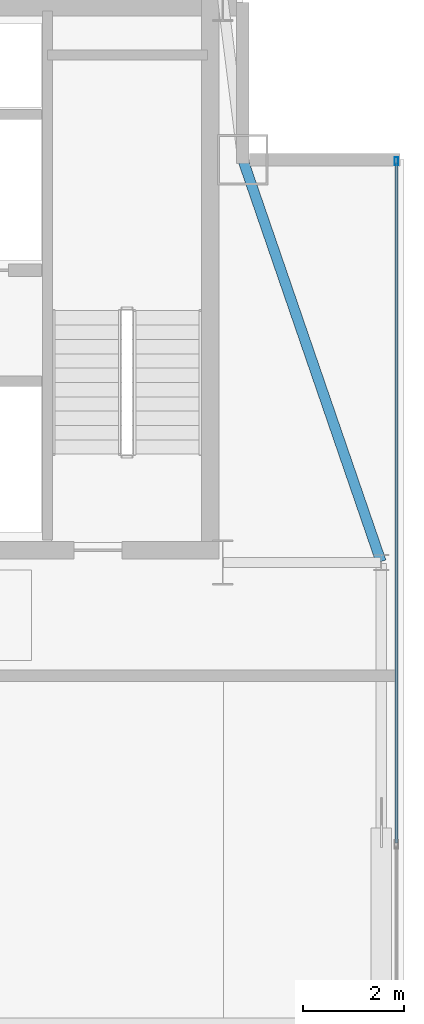
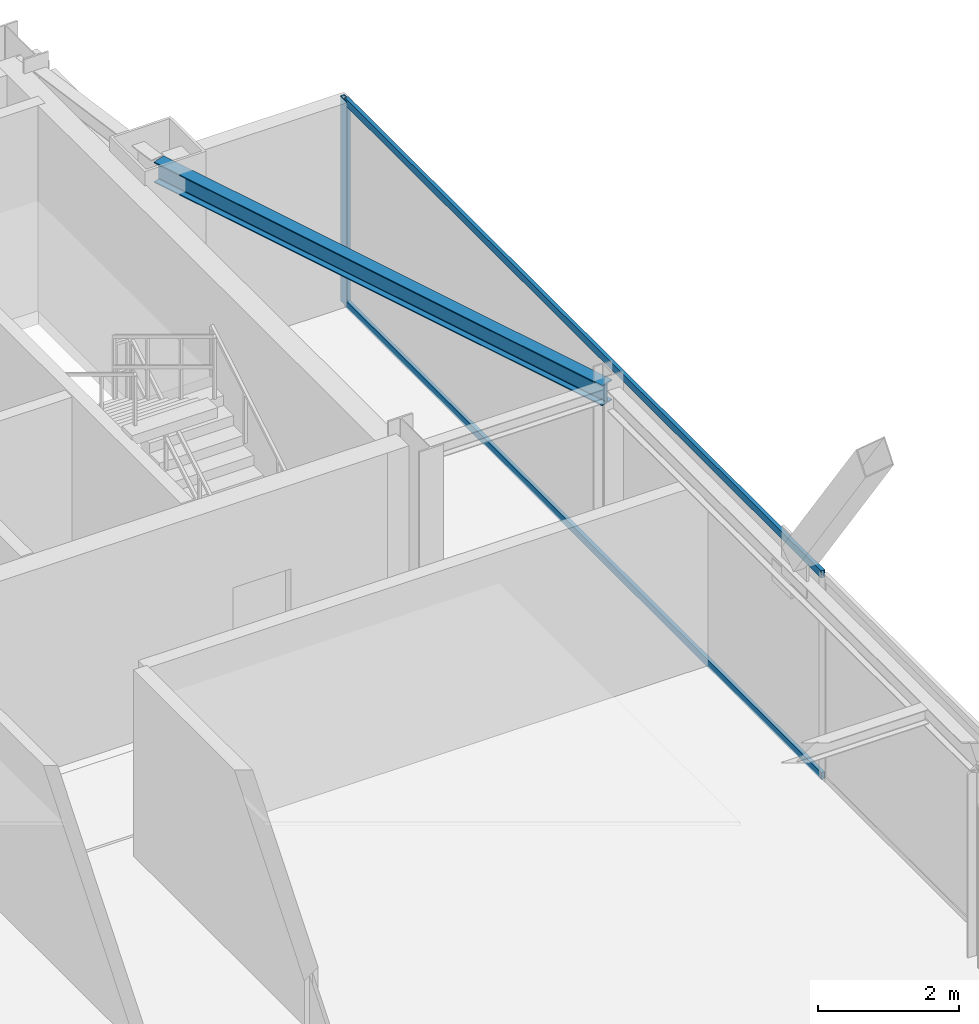
# One storey, part 17 of 24: 3 members, 1 beam, 1 element without a shape of its own.
"""IFC4 building model written with IfcOpenShell, lengths in metres."""

import ifcopenshell
import ifcopenshell.guid

model = None  # the IFC model being written
_history = None  # IfcOwnerHistory: only IFC2X3 demands one
_inside = {}  # id of a spatial element -> (the spatial element, [elements in it])
_under = {}  # id of a project, library or spatial element -> (it, [spatial elements below it])
_declared = {}  # id of a project -> (the project, [libraries it declares])
_typed = {}  # id of a type object -> (the type object, [elements of that type])
_made_of = {}  # id of a material, layer set ... -> (it, [elements and type objects made of it])


def new_model(schema):
    """Start an empty IFC model of exactly this schema.

    Asked for "IFC4X3", IfcOpenShell would pick the latest addendum, in which some entities
    have other attributes; the version numbers below select the first issue.
    IFC2X3 requires an IfcOwnerHistory on every rooted entity: one is made here for all.
    """
    global model, _history
    if schema == "IFC4X3":
        model = ifcopenshell.file(schema_version=(4, 3, 0, 0))
    else:
        model = ifcopenshell.file(schema=schema)
    _inside.clear()
    _under.clear()
    _declared.clear()
    _typed.clear()
    _made_of.clear()
    _history = None
    if model.schema == "IFC2X3":
        org = make("IfcOrganization", Name="unknown")
        user = make(
            "IfcPersonAndOrganization",
            ThePerson=make("IfcPerson", FamilyName="unknown"),
            TheOrganization=org,
        )
        app = make(
            "IfcApplication",
            ApplicationDeveloper=org,
            Version="unknown",
            ApplicationFullName="unknown",
            ApplicationIdentifier="unknown",
        )
        _history = make(
            "IfcOwnerHistory",
            OwningUser=user,
            OwningApplication=app,
            ChangeAction="ADDED",
            CreationDate=0,
        )
    return model


def make(cls, **values):
    """One entity of the class cls with the attributes given. An attribute that is None is left unset."""
    return model.create_entity(
        cls, **{name: value for name, value in values.items() if value is not None}
    )


def rooted(cls, **values):
    """An entity with a GlobalId (a new one), such as an element, a storey or a relation."""
    return make(cls, GlobalId=ifcopenshell.guid.new(), OwnerHistory=_history, **values)


def si_unit(unit_type, name, prefix=None):
    """IfcSIUnit, for example si_unit("LENGTHUNIT", "METRE", prefix="MILLI")."""
    return make("IfcSIUnit", UnitType=unit_type, Prefix=prefix, Name=name)


def assignment(units):
    """IfcUnitAssignment: the units of a project."""
    return None if units is None else make("IfcUnitAssignment", Units=units)


def point(xyz):
    """IfcCartesianPoint."""
    return None if xyz is None else make("IfcCartesianPoint", Coordinates=xyz)


def direction(xyz):
    """IfcDirection."""
    return None if xyz is None else make("IfcDirection", DirectionRatios=xyz)


def frame(location, z_axis=None, x_axis=None):
    """IfcAxis2Placement3D, a coordinate frame: its origin and axes. An axis left out is left unset."""
    return make(
        "IfcAxis2Placement3D",
        Location=point(location),
        Axis=direction(z_axis),
        RefDirection=direction(x_axis),
    )


def frame_2d(location, x_axis=None):
    """IfcAxis2Placement2D, a coordinate frame in the plane: its origin and x axis."""
    return make(
        "IfcAxis2Placement2D", Location=point(location), RefDirection=direction(x_axis)
    )


def origin():
    """The frame at (0, 0, 0) with its axes left unset."""
    return frame((0.0, 0.0, 0.0))


def origin_2d():
    """The frame at (0, 0) in the plane with its x axis left unset."""
    return frame_2d((0.0, 0.0))


def place(relative_to, where):
    """IfcLocalPlacement: puts the frame where relative to a parent placement (None: the world)."""
    return make(
        "IfcLocalPlacement", PlacementRelTo=relative_to, RelativePlacement=where
    )


def context(
    kind, dimensions, precision=None, world=None, true_north=None, identifier=None
):
    """IfcGeometricRepresentationContext, for example the 3D "Model" context."""
    return make(
        "IfcGeometricRepresentationContext",
        ContextIdentifier=identifier,
        ContextType=kind,
        CoordinateSpaceDimension=dimensions,
        Precision=precision,
        WorldCoordinateSystem=world,
        TrueNorth=true_north,
    )


def subcontext(parent, identifier, kind, view, scale=None):
    """IfcGeometricRepresentationSubContext, for example "Body" below "Model"."""
    return make(
        "IfcGeometricRepresentationSubContext",
        ContextIdentifier=identifier,
        ContextType=kind,
        ParentContext=parent,
        TargetScale=scale,
        TargetView=view,
    )


def project(units=None, contexts=None):
    """IfcProject with its units and contexts."""
    return rooted(
        "IfcProject",
        Name="project",
        RepresentationContexts=contexts,
        UnitsInContext=assignment(units),
    )


def spatial(cls, under=None, at=None, **own):
    """A site, building, storey or space (cls), placed at a placement, below another one or the project."""
    s = rooted(cls, ObjectPlacement=at, **own)
    if under is not None:
        _under.setdefault(under.id(), (under, []))[1].append(s)
    return s


def profile(cls, at=None, kind="AREA", **sizes):
    """A parametric profile (cls). Its sizes go by their IFC names, for example OverallWidth=200.0."""
    return make(cls, ProfileType=kind, Position=at, **sizes)


def hollow_rectangle(**sizes):
    """IfcRectangleHollowProfileDef."""
    return profile("IfcRectangleHollowProfileDef", **sizes)


def i_section(**sizes):
    """IfcIShapeProfileDef."""
    return profile("IfcIShapeProfileDef", **sizes)


def extrude(swept, where, along, depth):
    """IfcExtrudedAreaSolid: the profile swept, set in the frame where, extruded along a direction by depth."""
    return make(
        "IfcExtrudedAreaSolid",
        SweptArea=swept,
        Position=where,
        ExtrudedDirection=direction(along),
        Depth=depth,
    )


def shape(context_of_items, identifier, shape_type, items):
    """IfcShapeRepresentation: the items that make up one representation, for example the "Body"."""
    return make(
        "IfcShapeRepresentation",
        ContextOfItems=context_of_items,
        RepresentationIdentifier=identifier,
        RepresentationType=shape_type,
        Items=items,
    )


def source(mapping_origin, context_of_items, identifier, shape_type, items):
    """IfcRepresentationMap: a shape defined once, which mapped items show again and again."""
    return make(
        "IfcRepresentationMap",
        MappingOrigin=mapping_origin,
        MappedRepresentation=shape(context_of_items, identifier, shape_type, items),
    )


def transform(
    local_origin,
    x_axis=None,
    y_axis=None,
    z_axis=None,
    scale=None,
    scale2=None,
    scale3=None,
    uniform=True,
):
    """IfcCartesianTransformationOperator3D, or its non-uniform kind. x_axis, y_axis, z_axis: its Axis1, 2, 3."""
    if uniform:
        return make(
            "IfcCartesianTransformationOperator3D",
            Axis1=direction(x_axis),
            Axis2=direction(y_axis),
            LocalOrigin=point(local_origin),
            Scale=scale,
            Axis3=direction(z_axis),
        )
    return make(
        "IfcCartesianTransformationOperator3DnonUniform",
        Axis1=direction(x_axis),
        Axis2=direction(y_axis),
        LocalOrigin=point(local_origin),
        Scale=scale,
        Axis3=direction(z_axis),
        Scale2=scale2,
        Scale3=scale3,
    )


def mapped(mapping_source, mapping_target):
    """IfcMappedItem: shows the shape of a source again, moved by a transform."""
    return make(
        "IfcMappedItem", MappingSource=mapping_source, MappingTarget=mapping_target
    )


def material(Name=None, Category=None):
    """IfcMaterial."""
    return make("IfcMaterial", Name=Name, Category=Category)


def layer(
    of_material, thickness, ventilated=None, Name=None, Category=None, Priority=None
):
    """IfcMaterialLayer: one layer of a wall or slab, of a material (None: an air gap)."""
    return make(
        "IfcMaterialLayer",
        Material=of_material,
        LayerThickness=thickness,
        IsVentilated=ventilated,
        Name=Name,
        Category=Category,
        Priority=Priority,
    )


def layer_set(layers, Name=None):
    """IfcMaterialLayerSet."""
    return make("IfcMaterialLayerSet", MaterialLayers=layers, LayerSetName=Name)


def material_profile(
    of_material, cross_section, Name=None, Category=None, Priority=None
):
    """IfcMaterialProfile: a cross section and its material."""
    return make(
        "IfcMaterialProfile",
        Name=Name,
        Material=of_material,
        Profile=cross_section,
        Priority=Priority,
        Category=Category,
    )


def profile_set(profiles, Name=None, composite=None):
    """IfcMaterialProfileSet."""
    return make(
        "IfcMaterialProfileSet",
        Name=Name,
        MaterialProfiles=profiles,
        CompositeProfile=composite,
    )


def made_of(thing, what):
    """Note that an element or type object is made of a material, layer set ...; save() writes the relation."""
    if what is not None:
        _made_of.setdefault(what.id(), (what, []))[1].append(thing)
    return thing


def type_object(cls, material=None, **own):
    """A type object (cls), such as IfcWallType, which elements share."""
    return made_of(rooted(cls, **own), material)


def type_shapes(of_type, sources):
    """Give a type object the sources (RepresentationMaps) that its elements show as mapped items."""
    of_type.RepresentationMaps = sources


def element(
    cls,
    number,
    at=None,
    inside=None,
    cuts=None,
    type_object=None,
    material=None,
    context=None,
    identifier="Body",
    shape_type=None,
    held_by="IfcProductDefinitionShape",
    body=None,
    shapes=None,
    **own,
):
    """One element of the class cls, such as IfcWall. Its Tag is "e" and its number.

    at: its placement. inside: the storey or other place that contains it. cuts: it is an
    opening in that element (IfcRelVoidsElement). A single representation is given by context,
    identifier, shape_type and body (its items); several are given by shapes. held_by: the class
    of the entity that holds the representations. save() writes the other relations.
    """
    e = rooted(cls, Tag="e%d" % number, ObjectPlacement=at, **own)
    if body is not None:
        shapes = [shape(context, identifier, shape_type, body)]
    if shapes is not None:
        e.Representation = make(held_by, Representations=shapes)
    if inside is not None:
        _inside.setdefault(inside.id(), (inside, []))[1].append(e)
    if cuts is not None:
        rooted(
            "IfcRelVoidsElement", RelatingBuildingElement=cuts, RelatedOpeningElement=e
        )
    if type_object is not None:
        _typed.setdefault(type_object.id(), (type_object, []))[1].append(e)
    return made_of(e, material)


def aggregate(whole, parts):
    """IfcRelAggregates: a whole, such as a stair, and the parts it consists of."""
    return rooted("IfcRelAggregates", RelatingObject=whole, RelatedObjects=parts)


def save(model, path):
    """Write the relations noted so far, then the file.

    IfcRelAggregates (storeys below a building ...), IfcRelContainedInSpatialStructure (elements
    in a storey), IfcRelDefinesByType, IfcRelAssociatesMaterial and IfcRelDeclares: one each for
    every whole, place, type object, material and project.
    """
    for whole, parts in _under.values():
        aggregate(whole, parts)
    for where, things in _inside.values():
        rooted(
            "IfcRelContainedInSpatialStructure",
            RelatedElements=things,
            RelatingStructure=where,
        )
    for kind, things in _typed.values():
        rooted("IfcRelDefinesByType", RelatedObjects=things, RelatingType=kind)
    for what, things in _made_of.values():
        rooted("IfcRelAssociatesMaterial", RelatedObjects=things, RelatingMaterial=what)
    for by, libraries in _declared.values():
        rooted("IfcRelDeclares", RelatingContext=by, RelatedDefinitions=libraries)
    model.write(path)


model = new_model("IFC4")

# Units and contexts
model_context = context("Model", 3, precision=1e-05, world=origin(), true_north=direction((0.0, 1.0)))
body_context = subcontext(model_context, "Body", "Model", "MODEL_VIEW")
ifc_project = project(units=[si_unit("LENGTHUNIT", "METRE"), si_unit("AREAUNIT", "SQUARE_METRE"), si_unit("VOLUMEUNIT", "CUBIC_METRE"), si_unit("PLANEANGLEUNIT", "RADIAN"), si_unit("MASSUNIT", "GRAM", prefix="KILO")], contexts=[model_context])

# Site, building, storey
site_placement = place(None, origin())
site = spatial("IfcSite", under=ifc_project, at=site_placement, CompositionType="ELEMENT")
building_placement = place(site_placement, origin())
building = spatial("IfcBuilding", under=site, at=building_placement, Name="Varnel Quay Broadcast Tower", CompositionType="ELEMENT")
storey_placement = place(building_placement, frame((0.0, 0.0, 262.199951171875)))
storey = spatial("IfcBuildingStorey", under=building, at=storey_placement, Name="L65", CompositionType="ELEMENT", Elevation=262.199951171875)

# Beam
ifc_material_1 = material(Name="Structural Steel CSA G40.21 350W", Category="steel")
ifc_material_profile_1 = material_profile(ifc_material_1, i_section(OverallWidth=0.205078125, OverallDepth=0.35400390625, WebThickness=0.009521484375, FlangeThickness=0.016845703125, FilletRadius=0.012939453125, at=origin_2d()), Name="W360X79")
ifc_profile_set_1 = profile_set([ifc_material_profile_1], Name="Structural Steel CSA G40.21 350W")
beam_type = type_object("IfcBeamType", Name="Beam_W360X79", PredefinedType="SPANDREL", material=ifc_profile_set_1)
shared_shape_1 = source(origin(), body_context, "Body", "SweptSolid", [
    extrude(i_section(OverallWidth=0.205078125, OverallDepth=0.35400390625, WebThickness=0.009521484375, FlangeThickness=0.016845703125, FilletRadius=0.012939453125, at=origin_2d()), origin(), (0.0, 0.0, 1.0), 8.41943359375),
])
type_shapes(beam_type, [shared_shape_1])
beam_placement = place(storey_placement, frame((55.54345703125, 35.618896484375, 3.373046875), z_axis=(-0.325087062108, 0.945684092099, 0.0), x_axis=(-0.945684092099, -0.325087062108, 0.0)))
element("IfcBeam", 1, at=beam_placement, inside=storey, type_object=beam_type, Name="L65 East Spandrel TC-E2-MC-NE", PredefinedType="SPANDREL", context=body_context, shape_type="MappedRepresentation", body=[
    mapped(shared_shape_1, transform((0.0, 0.0, 0.0), x_axis=(1.0, 0.0, 0.0), y_axis=(0.0, 1.0, 0.0), z_axis=(0.0, 0.0, 1.0), scale=1.0)),
])

# Curtain wall, members
ifc_material_2 = material(Name="Anodised Bronze Aluminium 6063-T6", Category="aluminium")
ifc_layer = layer(ifc_material_2, 0.18994140625, Name="Anodised Bronze Aluminium 6063-T6")
ifc_layer_set = layer_set([ifc_layer], Name="Anodised Bronze Aluminium 6063-T6")
curtain_wall_type = type_object("IfcCurtainWallType", Name="CW_UpperTower", PredefinedType="NOTDEFINED", material=ifc_layer_set)
curtain_wall_placement = place(storey_placement, origin())
curtain_wall = element("IfcCurtainWall", 2, at=curtain_wall_placement, inside=storey, type_object=curtain_wall_type, Name="L65 East Unitised Curtain Wall", PredefinedType="NOTDEFINED")
ifc_material_profile_2 = material_profile(ifc_material_2, hollow_rectangle(XDim=0.06494140625, YDim=0.1650390625, WallThickness=0.00341796875, at=origin_2d()), Name="ALU65X165X3.5")
ifc_profile_set_2 = profile_set([ifc_material_profile_2], Name="Anodised Bronze Aluminium 6063-T6")
member_type_1 = type_object("IfcMemberType", Name="Mull_CWS-03", PredefinedType="MULLION", material=ifc_profile_set_2)
shared_shape_2 = source(origin(), body_context, "Body", "SweptSolid", [
    extrude(hollow_rectangle(XDim=0.06494140625, YDim=0.1650390625, WallThickness=0.00341796875, at=origin_2d()), origin(), (0.0, 0.0, 1.0), 3.550048828125),
])
type_shapes(member_type_1, [shared_shape_2])
member_1_placement = place(storey_placement, frame((55.85009765625, 43.5673828125, 0.0), z_axis=(0.0, 0.0, 1.0), x_axis=(-1.0, 0.0, 0.0)))
member_1 = element("IfcMember", 3, at=member_1_placement, type_object=member_type_1, Name="CWS-03 mullion 3", PredefinedType="MULLION", context=body_context, shape_type="MappedRepresentation", body=[
    mapped(shared_shape_2, transform((0.0, 0.0, 0.0), x_axis=(1.0, 0.0, 0.0), y_axis=(0.0, 1.0, 0.0), z_axis=(0.0, 0.0, 1.0), scale=1.0)),
])
ifc_material_profile_3 = material_profile(ifc_material_2, hollow_rectangle(XDim=0.06005859375, YDim=0.125, WallThickness=0.0029296875, at=origin_2d()), Name="ALU60X125X3")
ifc_profile_set_3 = profile_set([ifc_material_profile_3], Name="Anodised Bronze Aluminium 6063-T6")
member_type_2 = type_object("IfcMemberType", Name="Tran_CWS-03", PredefinedType="USERDEFINED", material=ifc_profile_set_3)
shared_shape_3 = source(origin(), body_context, "Body", "SweptSolid", [
    extrude(hollow_rectangle(XDim=0.06005859375, YDim=0.125, WallThickness=0.0029296875, at=origin_2d()), origin(), (0.0, 0.0, 1.0), 13.50244140625),
])
type_shapes(member_type_2, [shared_shape_3])
member_2_placement = place(storey_placement, frame((55.85009765625, 30.032470703125, 0.030029296875), z_axis=(0.0, 1.0, 0.0), x_axis=(-1.0, 0.0, 0.0)))
member_2 = element("IfcMember", 4, at=member_2_placement, type_object=member_type_2, Name="CWS-03 transom 2.1", ObjectType="TRANSOM", PredefinedType="USERDEFINED", context=body_context, shape_type="MappedRepresentation", body=[
    mapped(shared_shape_3, transform((0.0, 0.0, 0.0), x_axis=(1.0, 0.0, 0.0), y_axis=(0.0, 1.0, 0.0), z_axis=(0.0, 0.0, 1.0), scale=1.0)),
])
member_3_placement = place(storey_placement, frame((55.85009765625, 30.032470703125, 3.52001953125), z_axis=(0.0, 1.0, 0.0), x_axis=(-1.0, 0.0, 0.0)))
member_3 = element("IfcMember", 5, at=member_3_placement, type_object=member_type_2, Name="CWS-03 transom 2.2", ObjectType="TRANSOM", PredefinedType="USERDEFINED", context=body_context, shape_type="MappedRepresentation", body=[
    mapped(shared_shape_3, transform((0.0, 0.0, 0.0), x_axis=(1.0, 0.0, 0.0), y_axis=(0.0, 1.0, 0.0), z_axis=(0.0, 0.0, 1.0), scale=1.0)),
])
aggregate(curtain_wall, [member_1, member_2, member_3])

save(model, "model.ifc")
